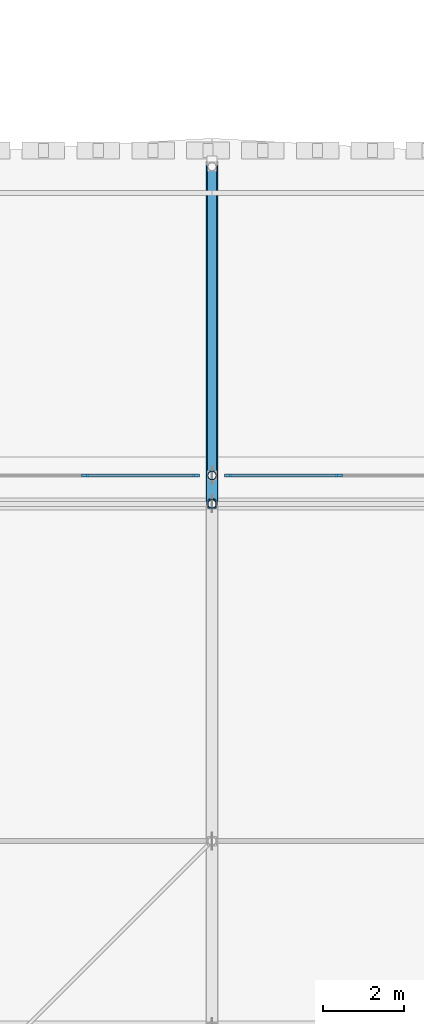
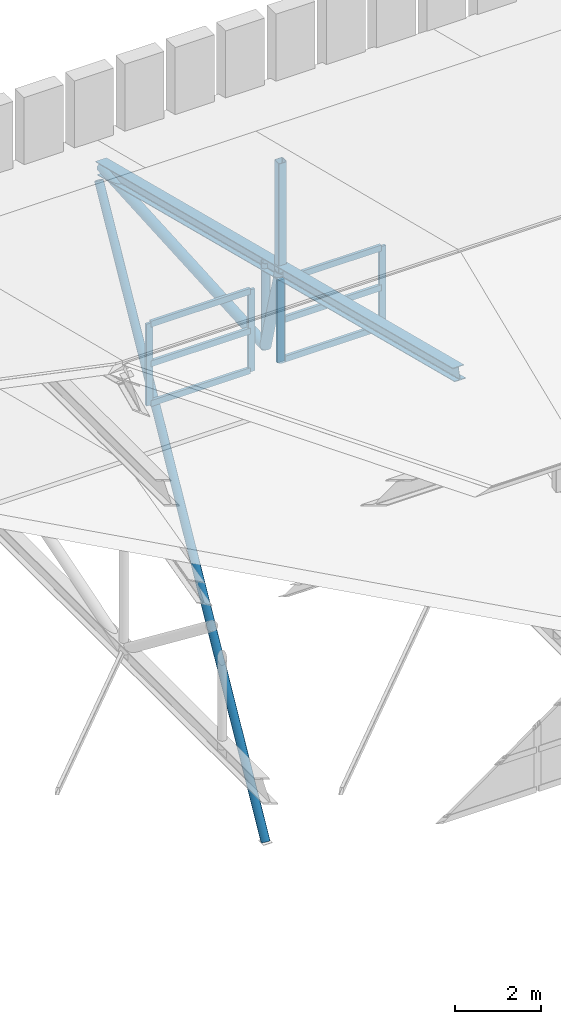
# One storey, part 16 of 42: 17 members, 2 elements without a shape of their own.
"""IFC4 building model written with IfcOpenShell, lengths in metres."""

from ifc_helpers import new_model, si_unit, direction, frame, origin, origin_2d, place, context, subcontext, project, spatial, rectangle, hollow_rectangle, hollow_circle, i_section, extrude, material, material_profile, profile_set, type_object, element, aggregate, save


model = new_model("IFC4")

# Units and contexts
model_context = context("Model", 3, precision=1e-05, world=origin(), true_north=direction((0.0, 1.0)))
body_context = subcontext(model_context, "Body", "Model", "MODEL_VIEW")
ifc_project = project(units=[si_unit("LENGTHUNIT", "METRE"), si_unit("AREAUNIT", "SQUARE_METRE"), si_unit("VOLUMEUNIT", "CUBIC_METRE"), si_unit("PLANEANGLEUNIT", "RADIAN"), si_unit("MASSUNIT", "GRAM", prefix="KILO")], contexts=[model_context])

# Site, building, storey
site_placement = place(None, origin())
site = spatial("IfcSite", under=ifc_project, at=site_placement, CompositionType="ELEMENT")
building_placement = place(site_placement, origin())
building = spatial("IfcBuilding", under=site, at=building_placement, Name="Bozkorgan Art Gallery", CompositionType="ELEMENT")
storey_placement = place(building_placement, frame((0.0, 0.0, 28.800048828125)))
storey = spatial("IfcBuildingStorey", under=building, at=storey_placement, Name="RF", CompositionType="ELEMENT", Elevation=28.800048828125)

# Curtain wall, members
ifc_material_1 = material(Name="Anodised Bronze Aluminium", Category="aluminium")
curtain_wall_type = type_object("IfcCurtainWallType", Name="CW-CW-28", PredefinedType="NOTDEFINED", material=ifc_material_1)
curtain_wall_1_placement = place(storey_placement, origin())
curtain_wall_1 = element("IfcCurtainWall", 1, at=curtain_wall_1_placement, inside=storey, type_object=curtain_wall_type, Name="RF unitised curtain wall CW-RF-V1-N-29", PredefinedType="NOTDEFINED")
ifc_material_profile_1 = material_profile(ifc_material_1, rectangle(XDim=0.06494140625, YDim=0.179931640625, at=origin_2d()), Name="ALU MULLION 65x180")
ifc_profile_set_1 = profile_set([ifc_material_profile_1], Name="Anodised Bronze Aluminium")
member_type_1 = type_object("IfcMemberType", Name="CWM-01", PredefinedType="MULLION", material=ifc_profile_set_1)
member_1_placement = place(storey_placement, frame((34.8798828125, 20.0, -0.324951171875), z_axis=(0.0, 0.0, 1.0), x_axis=(0.0, 1.0, 0.0)))
member_1 = element("IfcMember", 2, at=member_1_placement, type_object=member_type_1, Name="CW-28 mullion 3", PredefinedType="MULLION", context=body_context, shape_type="SweptSolid", body=[
    extrude(rectangle(XDim=0.06494140625, YDim=0.179931640625, at=origin_2d()), origin(), (0.0, 0.0, 1.0), 2.324951171875),
])
member_2_placement = place(storey_placement, frame((37.607421875, 20.0, -0.324951171875), z_axis=(0.0, 0.0, 1.0), x_axis=(0.0, 1.0, 0.0)))
member_2 = element("IfcMember", 3, at=member_2_placement, type_object=member_type_1, Name="CW-28 mullion 4", PredefinedType="MULLION", context=body_context, shape_type="SweptSolid", body=[
    extrude(rectangle(XDim=0.06494140625, YDim=0.179931640625, at=origin_2d()), origin(), (0.0, 0.0, 1.0), 2.324951171875),
])

curtain_wall_2_placement = place(storey_placement, origin())
curtain_wall_2 = element("IfcCurtainWall", 4, at=curtain_wall_2_placement, inside=storey, type_object=curtain_wall_type, Name="RF unitised curtain wall CW-RF-V1-N-38", PredefinedType="NOTDEFINED")
member_3_placement = place(storey_placement, frame((38.392578125, 20.0, -0.324951171875), z_axis=(0.0, 0.0, 1.0), x_axis=(0.0, 1.0, 0.0)))
member_3 = element("IfcMember", 5, at=member_3_placement, type_object=member_type_1, Name="CW-28 mullion 1", PredefinedType="MULLION", context=body_context, shape_type="SweptSolid", body=[
    extrude(rectangle(XDim=0.06494140625, YDim=0.179931640625, at=origin_2d()), origin(), (0.0, 0.0, 1.0), 2.324951171875),
])
member_4_placement = place(storey_placement, frame((41.1201171875, 20.0, -0.324951171875), z_axis=(0.0, 0.0, 1.0), x_axis=(0.0, 1.0, 0.0)))
member_4 = element("IfcMember", 6, at=member_4_placement, type_object=member_type_1, Name="CW-28 mullion 2", PredefinedType="MULLION", context=body_context, shape_type="SweptSolid", body=[
    extrude(rectangle(XDim=0.06494140625, YDim=0.179931640625, at=origin_2d()), origin(), (0.0, 0.0, 1.0), 2.324951171875),
])

# Member
ifc_material_profile_2 = material_profile(ifc_material_1, rectangle(XDim=0.074951171875, YDim=0.169921875, at=origin_2d()), Name="ALU TRANSOM 75x170")
ifc_profile_set_2 = profile_set([ifc_material_profile_2], Name="Anodised Bronze Aluminium")
member_type_2 = type_object("IfcMemberType", Name="CWT-02", PredefinedType="USERDEFINED", material=ifc_profile_set_2)
member_5_placement = place(storey_placement, frame((34.91259765625, 20.0, -0.28759765625), z_axis=(1.0, 0.0, 0.0), x_axis=(0.0, 1.0, 0.0)))
member_5 = element("IfcMember", 7, at=member_5_placement, type_object=member_type_2, Name="CW-28 transom 3.1", ObjectType="TRANSOM", PredefinedType="USERDEFINED", context=body_context, shape_type="SweptSolid", body=[
    extrude(rectangle(XDim=0.074951171875, YDim=0.169921875, at=origin_2d()), origin(), (0.0, 0.0, 1.0), 2.662353515625),
])

member_6_placement = place(storey_placement, frame((34.91259765625, 20.0, 0.837890625), z_axis=(1.0, 0.0, 0.0), x_axis=(0.0, 1.0, 0.0)))
member_6 = element("IfcMember", 8, at=member_6_placement, type_object=member_type_2, Name="CW-28 transom 3.2", ObjectType="TRANSOM", PredefinedType="USERDEFINED", context=body_context, shape_type="SweptSolid", body=[
    extrude(rectangle(XDim=0.074951171875, YDim=0.169921875, at=origin_2d()), origin(), (0.0, 0.0, 1.0), 2.662353515625),
])

member_7_placement = place(storey_placement, frame((34.91259765625, 20.0, 1.96240234375), z_axis=(1.0, 0.0, 0.0), x_axis=(0.0, 1.0, 0.0)))
member_7 = element("IfcMember", 9, at=member_7_placement, type_object=member_type_2, Name="CW-28 transom 3.3", ObjectType="TRANSOM", PredefinedType="USERDEFINED", context=body_context, shape_type="SweptSolid", body=[
    extrude(rectangle(XDim=0.074951171875, YDim=0.169921875, at=origin_2d()), origin(), (0.0, 0.0, 1.0), 2.662353515625),
])

aggregate(curtain_wall_1, [member_1, member_2, member_5, member_6, member_7])

member_8_placement = place(storey_placement, frame((38.425048828125, 20.0, -0.28759765625), z_axis=(1.0, 0.0, 0.0), x_axis=(0.0, 1.0, 0.0)))
member_8 = element("IfcMember", 10, at=member_8_placement, type_object=member_type_2, Name="CW-28 transom 1.1", ObjectType="TRANSOM", PredefinedType="USERDEFINED", context=body_context, shape_type="SweptSolid", body=[
    extrude(rectangle(XDim=0.074951171875, YDim=0.169921875, at=origin_2d()), origin(), (0.0, 0.0, 1.0), 2.662353515625),
])

member_9_placement = place(storey_placement, frame((38.425048828125, 20.0, 0.837890625), z_axis=(1.0, 0.0, 0.0), x_axis=(0.0, 1.0, 0.0)))
member_9 = element("IfcMember", 11, at=member_9_placement, type_object=member_type_2, Name="CW-28 transom 1.2", ObjectType="TRANSOM", PredefinedType="USERDEFINED", context=body_context, shape_type="SweptSolid", body=[
    extrude(rectangle(XDim=0.074951171875, YDim=0.169921875, at=origin_2d()), origin(), (0.0, 0.0, 1.0), 2.662353515625),
])

member_10_placement = place(storey_placement, frame((38.425048828125, 20.0, 1.96240234375), z_axis=(1.0, 0.0, 0.0), x_axis=(0.0, 1.0, 0.0)))
member_10 = element("IfcMember", 12, at=member_10_placement, type_object=member_type_2, Name="CW-28 transom 1.3", ObjectType="TRANSOM", PredefinedType="USERDEFINED", context=body_context, shape_type="SweptSolid", body=[
    extrude(rectangle(XDim=0.074951171875, YDim=0.169921875, at=origin_2d()), origin(), (0.0, 0.0, 1.0), 2.662353515625),
])

aggregate(curtain_wall_2, [member_3, member_4, member_8, member_9, member_10])

# Members
ifc_material_2 = material(Name="Steel S355J2", Category="steel")
ifc_material_profile_3 = material_profile(ifc_material_2, hollow_rectangle(XDim=0.219970703125, YDim=0.219970703125, WallThickness=0.012451171875, InnerFilletRadius=0.018798828125, OuterFilletRadius=0.03125, at=origin_2d()), Name="SHS 220x220x12.5")
ifc_profile_set_3 = profile_set([ifc_material_profile_3], Name="Steel S355J2")
member_type_3 = type_object("IfcMemberType", Name="MEMBER-CP-34", PredefinedType="POST", material=ifc_profile_set_3)
member_11_placement = place(storey_placement, frame((38.0, 19.300048828125, 2.826904296875), z_axis=(0.0, 0.0, 1.0), x_axis=(1.0, 0.0, 0.0)))
element("IfcMember", 13, at=member_11_placement, inside=storey, type_object=member_type_3, Name="V1 upper clerestory truss post 4N", PredefinedType="POST", context=body_context, shape_type="SweptSolid", body=[
    extrude(hollow_rectangle(XDim=0.219970703125, YDim=0.219970703125, WallThickness=0.012451171875, InnerFilletRadius=0.018798828125, OuterFilletRadius=0.03125, at=origin_2d()), origin(), (0.0, 0.0, 1.0), 3.09814453125),
])
ifc_material_profile_4 = material_profile(ifc_material_2, hollow_circle(Radius=0.109619140625, WallThickness=0.010009765625, at=origin_2d()), Name="CHS 219.1x10")
ifc_profile_set_4 = profile_set([ifc_material_profile_4], Name="Steel S355J2")
member_type_4 = type_object("IfcMemberType", Name="MEMBER-ES-44", PredefinedType="BRACE", material=ifc_profile_set_4)
member_12_placement = place(storey_placement, frame((38.0, 20.0, -13.800048828125), z_axis=(0.0, 0.48251516305, 0.875887616893), x_axis=(-1.0, 0.0, 0.0)))
element("IfcMember", 14, at=member_12_placement, inside=storey, type_object=member_type_4, Name="ROOF-V1-MAIN north swept-eave diagonal tree-strut 5", PredefinedType="BRACE", context=body_context, shape_type="SweptSolid", body=[
    extrude(hollow_circle(Radius=0.109619140625, WallThickness=0.010009765625, at=origin_2d()), origin(), (0.0, 0.0, 1.0), 16.041015625),
])
ifc_material_profile_5 = material_profile(ifc_material_2, i_section(OverallWidth=0.300048828125, OverallDepth=0.35009765625, WebThickness=0.010009765625, FlangeThickness=0.017578125, FilletRadius=0.027099609375, at=origin_2d()), Name="HEA 360")
ifc_profile_set_5 = profile_set([ifc_material_profile_5], Name="Steel S355J2")
member_type_5 = type_object("IfcMemberType", Name="MEMBER-TC-31", PredefinedType="CHORD", material=ifc_profile_set_5)
member_13_placement = place(storey_placement, frame((38.0, 11.0, 4.92724609375), z_axis=(0.0, 0.969442389879, -0.245319083452), x_axis=(-1.0, 0.0, 0.0)))
element("IfcMember", 15, at=member_13_placement, inside=storey, type_object=member_type_5, Name="ROOF-V1-MAIN roof truss 5 north top chord", PredefinedType="CHORD", context=body_context, shape_type="SweptSolid", body=[
    extrude(i_section(OverallWidth=0.300048828125, OverallDepth=0.35009765625, WebThickness=0.010009765625, FlangeThickness=0.017578125, FilletRadius=0.027099609375, at=origin_2d()), origin(), (0.0, 0.0, 1.0), 17.123291015625),
])
ifc_material_profile_6 = material_profile(ifc_material_2, hollow_circle(Radius=0.109619140625, WallThickness=0.010009765625, at=origin_2d()), Name="CHS 219.1x10")
ifc_profile_set_6 = profile_set([ifc_material_profile_6], Name="Steel S355J2")
member_type_6 = type_object("IfcMemberType", Name="MEMBER-TP-78", PredefinedType="POST", material=ifc_profile_set_6)
member_14_placement = place(storey_placement, frame((38.0, 19.300048828125, 0.25), z_axis=(0.0, 0.0, 1.0), x_axis=(1.0, 0.0, 0.0)))
element("IfcMember", 16, at=member_14_placement, inside=storey, type_object=member_type_6, Name="ROOF-V1-MAIN roof truss 5 post 3", PredefinedType="POST", context=body_context, shape_type="SweptSolid", body=[
    extrude(hollow_circle(Radius=0.109619140625, WallThickness=0.010009765625, at=origin_2d()), origin(), (0.0, 0.0, 1.0), 2.576904296875),
])
member_15_placement = place(storey_placement, frame((38.0, 20.0, 0.25), z_axis=(0.0, 0.0, 1.0), x_axis=(1.0, 0.0, 0.0)))
element("IfcMember", 17, at=member_15_placement, inside=storey, type_object=member_type_6, Name="ROOF-V1-MAIN roof truss 5 post 4", PredefinedType="POST", context=body_context, shape_type="SweptSolid", body=[
    extrude(hollow_circle(Radius=0.109619140625, WallThickness=0.010009765625, at=origin_2d()), origin(), (0.0, 0.0, 1.0), 2.39990234375),
])
ifc_material_profile_7 = material_profile(ifc_material_2, hollow_circle(Radius=0.136474609375, WallThickness=0.012451171875, at=origin_2d()), Name="CHS 273x12.5")
ifc_profile_set_7 = profile_set([ifc_material_profile_7], Name="Steel S355J2")
member_type_7 = type_object("IfcMemberType", Name="MEMBER-TW-28", PredefinedType="BRACE", material=ifc_profile_set_7)
member_16_placement = place(storey_placement, frame((38.0, 19.300048828125, 2.826904296875), z_axis=(0.0, 0.262127020499, -0.965033380316), x_axis=(-1.0, 0.0, 0.0)))
element("IfcMember", 18, at=member_16_placement, inside=storey, type_object=member_type_7, Name="ROOF-V1-MAIN roof truss 5 diagonal 4", PredefinedType="BRACE", context=body_context, shape_type="SweptSolid", body=[
    extrude(hollow_circle(Radius=0.136474609375, WallThickness=0.012451171875, at=origin_2d()), origin(), (0.0, 0.0, 1.0), 2.670166015625),
])
member_17_placement = place(storey_placement, frame((38.0, 20.0, 0.25), z_axis=(0.0, 0.998039833362, 0.062581874549), x_axis=(-1.0, 0.0, 0.0)))
element("IfcMember", 19, at=member_17_placement, inside=storey, type_object=member_type_7, Name="ROOF-V1-MAIN roof truss 5 diagonal 5", PredefinedType="BRACE", context=body_context, shape_type="SweptSolid", body=[
    extrude(hollow_circle(Radius=0.136474609375, WallThickness=0.012451171875, at=origin_2d()), origin(), (0.0, 0.0, 1.0), 7.614990234375),
])

save(model, "model.ifc")
